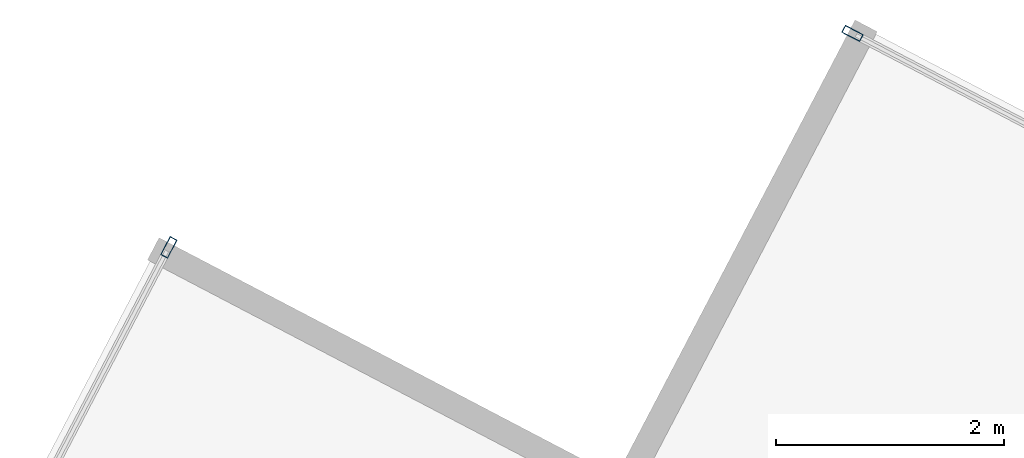
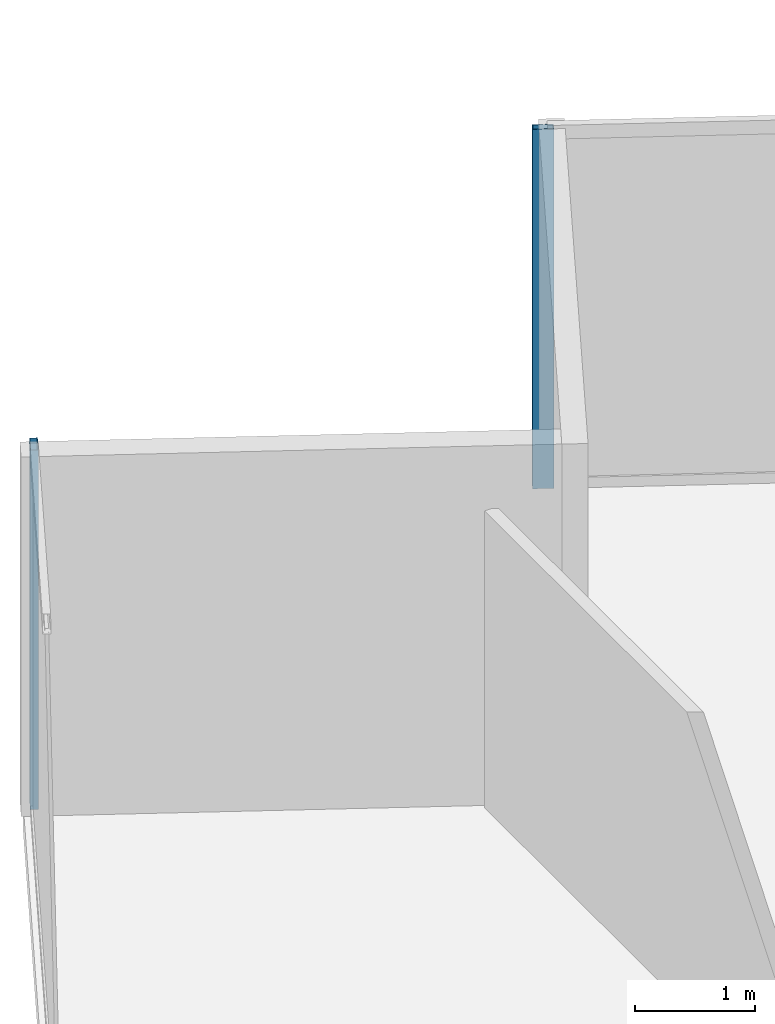
# One storey, part 16 of 27: 2 members, 2 elements without a shape of their own.
"""IFC4 building model written with IfcOpenShell, lengths in metres."""

from ifc_helpers import new_model, si_unit, direction, frame, origin, origin_2d, place, context, subcontext, project, spatial, hollow_rectangle, extrude, source, transform, mapped, material, material_profile, profile_set, type_object, type_shapes, element, aggregate, save


model = new_model("IFC4")

# Units and contexts
model_context = context("Model", 3, precision=1e-05, world=origin(), true_north=direction((0.0, 1.0)))
body_context = subcontext(model_context, "Body", "Model", "MODEL_VIEW")
ifc_project = project(units=[si_unit("LENGTHUNIT", "METRE"), si_unit("AREAUNIT", "SQUARE_METRE"), si_unit("VOLUMEUNIT", "CUBIC_METRE"), si_unit("PLANEANGLEUNIT", "RADIAN"), si_unit("MASSUNIT", "GRAM", prefix="KILO")], contexts=[model_context])

# Site, building, storey
site_placement = place(None, origin())
site = spatial("IfcSite", under=ifc_project, at=site_placement, CompositionType="ELEMENT")
building_placement = place(site_placement, origin())
building = spatial("IfcBuilding", under=site, at=building_placement, Name="Krantzveldt Concourse Tower", CompositionType="ELEMENT")
storey_placement = place(building_placement, frame((0.0, 0.0, 158.050048828125)))
storey = spatial("IfcBuildingStorey", under=building, at=storey_placement, Name="L38", CompositionType="ELEMENT", Elevation=158.050048828125)

# Curtain wall, member
ifc_material = material(Name="Anodised aluminium 6063-T6", Category="aluminium")
curtain_wall_type = type_object("IfcCurtainWallType", Name="CW3", PredefinedType="USERDEFINED", material=ifc_material)
curtain_wall_1_placement = place(storey_placement, origin())
curtain_wall_1 = element("IfcCurtainWall", 1, at=curtain_wall_1_placement, inside=storey, type_object=curtain_wall_type, Name="CW-L38-F01", ObjectType="UNITISED CURTAIN WALL", PredefinedType="USERDEFINED")
ifc_material_profile = material_profile(ifc_material, hollow_rectangle(XDim=0.070068359375, YDim=0.179931640625, WallThickness=0.0048828125, at=origin_2d()), Name="Anodised aluminium 6063-T6", Category="aluminium")
ifc_profile_set = profile_set([ifc_material_profile], Name="Anodised aluminium 6063-T6 - ALU-MULL 180x70x5")
member_type = type_object("IfcMemberType", Name="CW-MUL-180", PredefinedType="MULLION", material=ifc_profile_set)
shared_shape = source(origin(), body_context, "Body", "SweptSolid", [
    extrude(hollow_rectangle(XDim=0.070068359375, YDim=0.179931640625, WallThickness=0.0048828125, at=origin_2d()), origin(), (0.0, 0.0, 1.0), 3.669921875),
])
type_shapes(member_type, [shared_shape])
member_1_placement = place(storey_placement, frame((24.728271484375, 52.1982421875, 0.0), z_axis=(0.0, 0.0, 1.0), x_axis=(0.886001265743, -0.463682819502, 0.0)))
member_1 = element("IfcMember", 2, at=member_1_placement, type_object=member_type, Name="CW-Z34 mullion 1", PredefinedType="MULLION", context=body_context, shape_type="MappedRepresentation", body=[
    mapped(shared_shape, transform((0.0, 0.0, 0.0), x_axis=(1.0, 0.0, 0.0), y_axis=(0.0, 1.0, 0.0), z_axis=(0.0, 0.0, 1.0), scale=1.0)),
])
aggregate(curtain_wall_1, [member_1])

curtain_wall_2_placement = place(storey_placement, origin())
curtain_wall_2 = element("IfcCurtainWall", 3, at=curtain_wall_2_placement, inside=storey, type_object=curtain_wall_type, Name="CW-L38-F10", ObjectType="UNITISED CURTAIN WALL", PredefinedType="USERDEFINED")
member_2_placement = place(storey_placement, frame((30.7275390625, 54.075439453125, 0.0), z_axis=(0.0, 0.0, 1.0), x_axis=(-0.463682819502, -0.886001265743, 0.0)))
member_2 = element("IfcMember", 4, at=member_2_placement, type_object=member_type, Name="CW-Z34 mullion 6", PredefinedType="MULLION", context=body_context, shape_type="MappedRepresentation", body=[
    mapped(shared_shape, transform((0.0, 0.0, 0.0), x_axis=(1.0, 0.0, 0.0), y_axis=(0.0, 1.0, 0.0), z_axis=(0.0, 0.0, 1.0), scale=1.0)),
])
aggregate(curtain_wall_2, [member_2])

save(model, "model.ifc")
